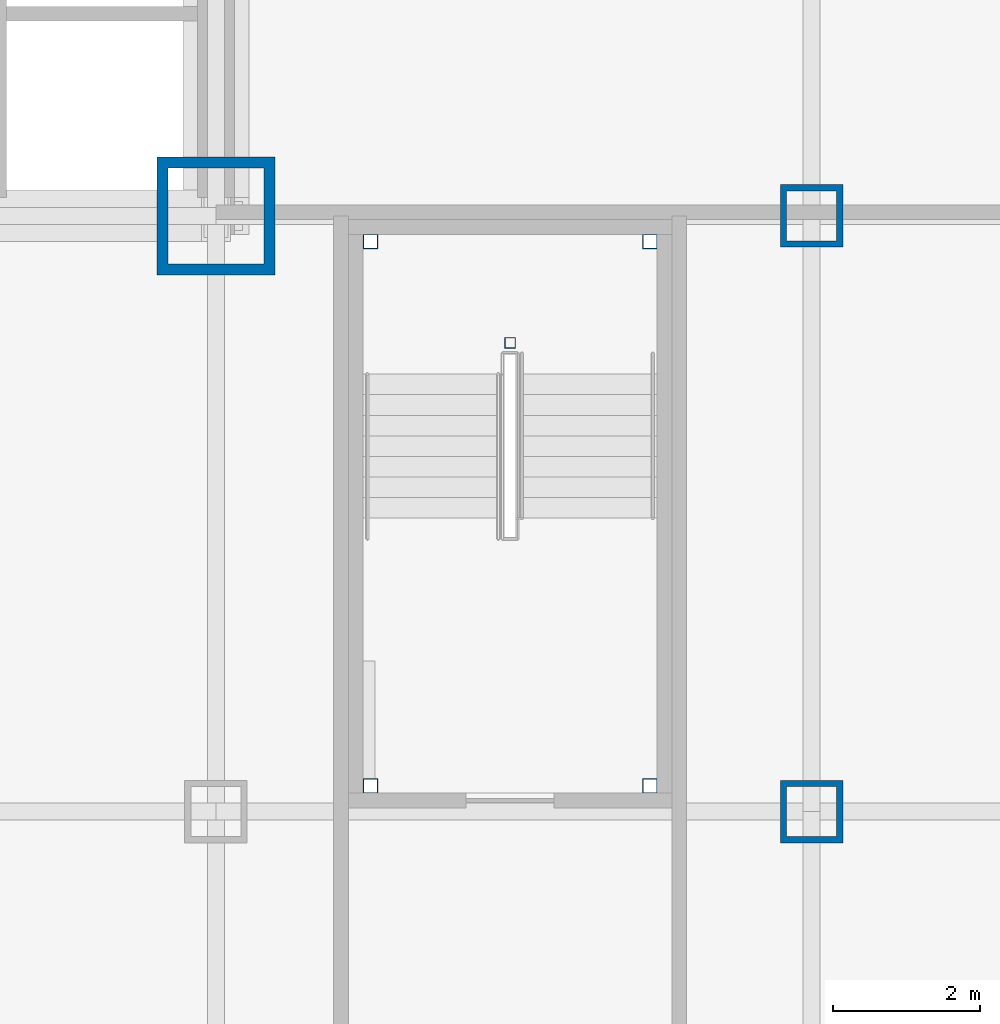
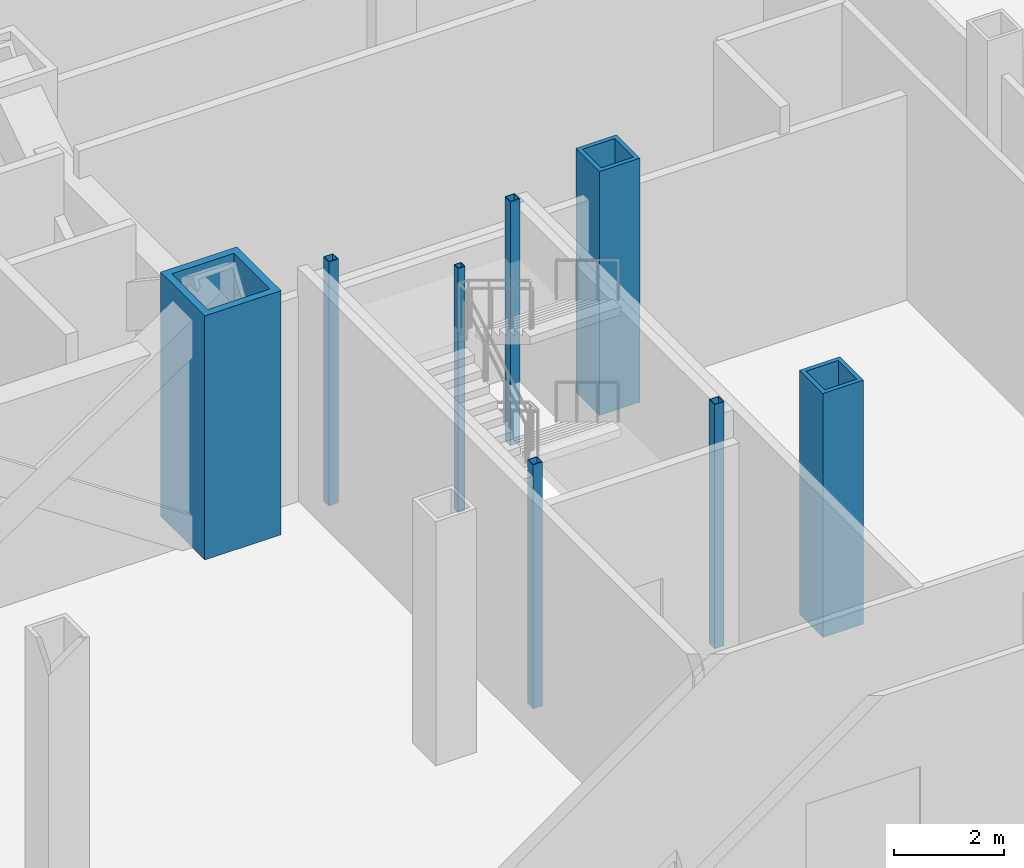
# One storey, part 4 of 26: 8 columns.
"""IFC4 building model written with IfcOpenShell, lengths in metres."""

from ifc_helpers import new_model, si_unit, direction, frame, origin, origin_2d, place, context, subcontext, project, spatial, hollow_rectangle, extrude, material, material_profile, profile_set, type_object, element, save


model = new_model("IFC4")

# Units and contexts
model_context = context("Model", 3, precision=1e-05, world=origin(), true_north=direction((0.0, 1.0)))
body_context = subcontext(model_context, "Body", "Model", "MODEL_VIEW")
ifc_project = project(units=[si_unit("LENGTHUNIT", "METRE"), si_unit("AREAUNIT", "SQUARE_METRE"), si_unit("VOLUMEUNIT", "CUBIC_METRE"), si_unit("PLANEANGLEUNIT", "RADIAN"), si_unit("MASSUNIT", "GRAM", prefix="KILO")], contexts=[model_context])

# Site, building, storey
site_placement = place(None, origin())
site = spatial("IfcSite", under=ifc_project, at=site_placement, CompositionType="ELEMENT")
building_placement = place(site_placement, origin())
building = spatial("IfcBuilding", under=site, at=building_placement, Name="Kopane Lantern Tower", CompositionType="ELEMENT")
storey_placement = place(building_placement, frame((0.0, 0.0, 16.800048828125)))
storey = spatial("IfcBuildingStorey", under=building, at=storey_placement, Name="L03", CompositionType="ELEMENT", Elevation=16.800048828125)

# Columns
ifc_material_1 = material(Name="Steel S355JR", Category="steel")
ifc_material_profile_1 = material_profile(ifc_material_1, hollow_rectangle(XDim=1.60009765625, YDim=1.60009765625, WallThickness=0.14990234375, at=origin_2d()), Name="BOX 1600x1600x150")
ifc_profile_set_1 = profile_set([ifc_material_profile_1], Name="Steel S355JR")
column_type_1 = type_object("IfcColumnType", Name="COLUMN BOX 1600x1600x150", PredefinedType="COLUMN", material=ifc_profile_set_1)
column_1_placement = place(storey_placement, frame((40.5, 24.300048828125, 0.0), z_axis=(0.0, 0.0, 1.0), x_axis=(1.0, 0.0, 0.0)))
element("IfcColumn", 1, at=column_1_placement, inside=storey, type_object=column_type_1, Name="Column 7/E L03", PredefinedType="COLUMN", context=body_context, shape_type="SweptSolid", body=[
    extrude(hollow_rectangle(XDim=1.60009765625, YDim=1.60009765625, WallThickness=0.14990234375, at=origin_2d()), origin(), (0.0, 0.0, 1.0), 5.39990234375),
])
ifc_material_2 = material(Name="Steel S355JR", Category="steel")
ifc_material_profile_2 = material_profile(ifc_material_2, hollow_rectangle(XDim=0.85009765625, YDim=0.85009765625, WallThickness=0.0849609375, at=origin_2d()), Name="BOX 850x850x85")
ifc_profile_set_2 = profile_set([ifc_material_profile_2], Name="Steel S355JR")
column_type_2 = type_object("IfcColumnType", Name="COLUMN BOX 850x850x85", PredefinedType="COLUMN", material=ifc_profile_set_2)
for number, where, z_axis, x_axis, name in (
    (2, (48.60009765625, 16.199951171875, 0.0), (0.0, 0.0, 1.0), (1.0, 0.0, 0.0), "Column 8/D L03"),
    (3, (48.60009765625, 24.300048828125, 0.0), (0.0, 0.0, 1.0), (1.0, 0.0, 0.0), "Column 8/E L03"),
):
    element("IfcColumn", number, at=place(storey_placement, frame(where, z_axis=z_axis, x_axis=x_axis)), inside=storey, type_object=column_type_2, Name=name, PredefinedType="COLUMN", context=body_context, shape_type="SweptSolid", body=[
        extrude(hollow_rectangle(XDim=0.85009765625, YDim=0.85009765625, WallThickness=0.0849609375, at=origin_2d()), origin(), (0.0, 0.0, 1.0), 5.39990234375),
    ])
ifc_material_3 = material(Name="Steel S355JR", Category="steel")
ifc_material_profile_3 = material_profile(ifc_material_3, hollow_rectangle(XDim=0.14990234375, YDim=0.14990234375, WallThickness=0.010009765625, at=origin_2d()), Name="BOX 150x150x10")
ifc_profile_set_3 = profile_set([ifc_material_profile_3], Name="Steel S355JR")
column_type_3 = type_object("IfcColumnType", Name="STAIR NEWEL POST BOX 150x150x10", PredefinedType="COLUMN", material=ifc_profile_set_3)
column_2_placement = place(storey_placement, frame((44.5, 22.574951171875, 0.0), z_axis=(0.0, 0.0, 1.0), x_axis=(1.0, 0.0, 0.0)))
element("IfcColumn", 4, at=column_2_placement, inside=storey, type_object=column_type_3, Name="Stair newel post ST4 NEWEL L03", PredefinedType="COLUMN", context=body_context, shape_type="SweptSolid", body=[
    extrude(hollow_rectangle(XDim=0.14990234375, YDim=0.14990234375, WallThickness=0.010009765625, at=origin_2d()), origin(), (0.0, 0.0, 1.0), 5.39990234375),
])
ifc_material_4 = material(Name="Steel S355JR", Category="steel")
ifc_material_profile_4 = material_profile(ifc_material_4, hollow_rectangle(XDim=0.199951171875, YDim=0.199951171875, WallThickness=0.011962890625, at=origin_2d()), Name="BOX 200x200x12")
ifc_profile_set_4 = profile_set([ifc_material_profile_4], Name="Steel S355JR")
column_type_4 = type_object("IfcColumnType", Name="STAIR POST BOX 200x200x12", PredefinedType="COLUMN", material=ifc_profile_set_4)
for number, where, z_axis, x_axis, name in (
    (5, (42.60009765625, 23.949951171875, 0.0), (0.0, 0.0, 1.0), (1.0, 0.0, 0.0), "Stair post ST4 NW L03"),
    (6, (46.39990234375, 23.949951171875, 0.0), (0.0, 0.0, 1.0), (1.0, 0.0, 0.0), "Stair post ST4 NE L03"),
    (7, (42.60009765625, 16.550048828125, 0.0), (0.0, 0.0, 1.0), (1.0, 0.0, 0.0), "Stair post ST4 SW L03"),
    (8, (46.39990234375, 16.550048828125, 0.0), (0.0, 0.0, 1.0), (1.0, 0.0, 0.0), "Stair post ST4 SE L03"),
):
    element("IfcColumn", number, at=place(storey_placement, frame(where, z_axis=z_axis, x_axis=x_axis)), inside=storey, type_object=column_type_4, Name=name, PredefinedType="COLUMN", context=body_context, shape_type="SweptSolid", body=[
        extrude(hollow_rectangle(XDim=0.199951171875, YDim=0.199951171875, WallThickness=0.011962890625, at=origin_2d()), origin(), (0.0, 0.0, 1.0), 5.39990234375),
    ])

save(model, "model.ifc")
